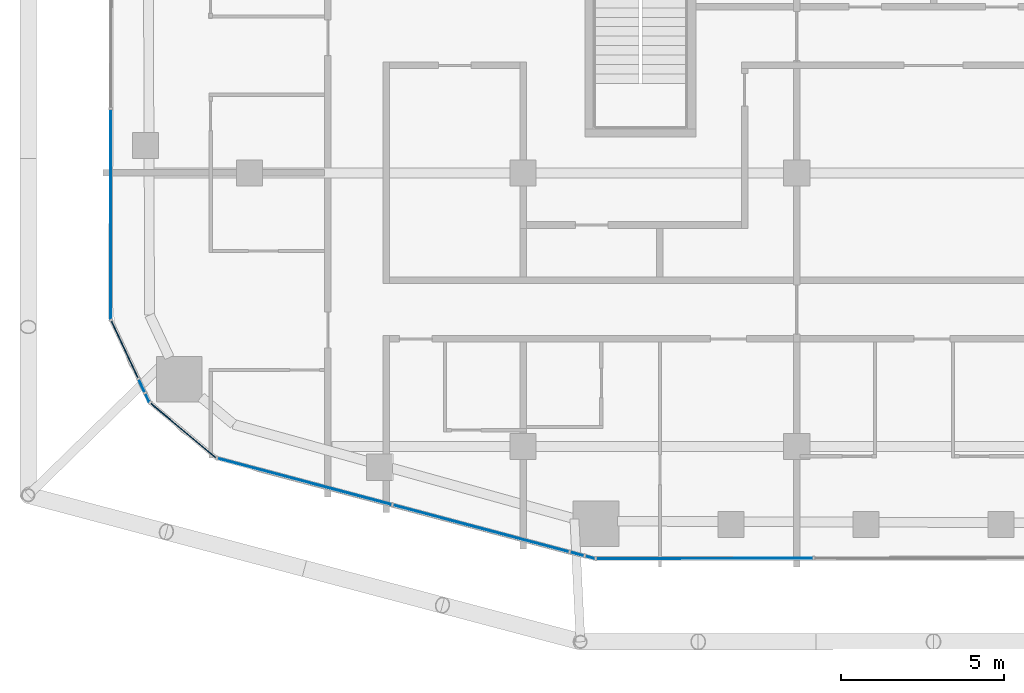
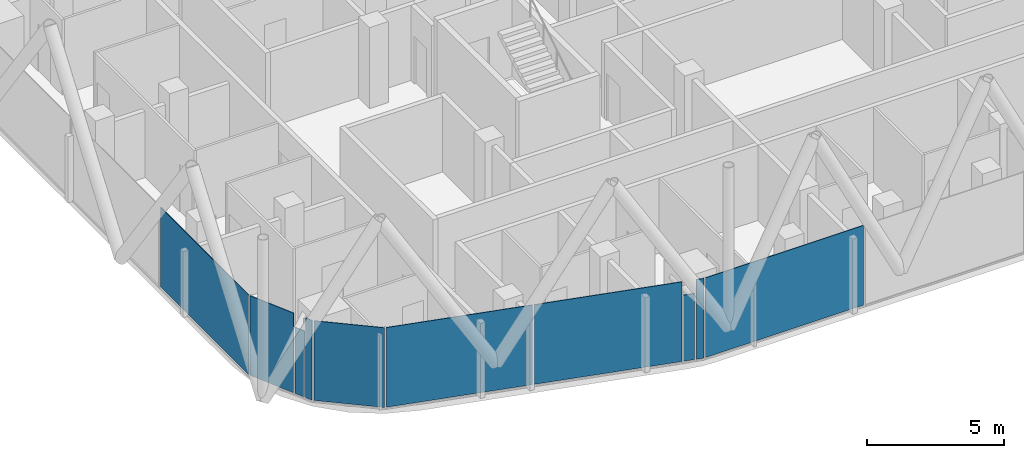
# One storey, part 14 of 28: 10 plates, 9 elements without a shape of their own.
"""IFC4 building model written with IfcOpenShell, lengths in metres."""

from ifc_helpers import new_model, si_unit, direction, frame, origin, origin_2d, place, context, subcontext, project, spatial, rectangle, extrude, material, layer, layer_set, type_object, element, aggregate, save


model = new_model("IFC4")

# Units and contexts
model_context = context("Model", 3, precision=1e-05, world=origin(), true_north=direction((0.0, 1.0)))
body_context = subcontext(model_context, "Body", "Model", "MODEL_VIEW")
ifc_project = project(units=[si_unit("LENGTHUNIT", "METRE"), si_unit("AREAUNIT", "SQUARE_METRE"), si_unit("VOLUMEUNIT", "CUBIC_METRE"), si_unit("PLANEANGLEUNIT", "RADIAN"), si_unit("MASSUNIT", "GRAM", prefix="KILO")], contexts=[model_context])

# Site, building, storey
site_placement = place(None, origin())
site = spatial("IfcSite", under=ifc_project, at=site_placement, CompositionType="ELEMENT")
building_placement = place(site_placement, origin())
building = spatial("IfcBuilding", under=site, at=building_placement, Name="Marenta Gate Hotel Tower", CompositionType="ELEMENT")
storey_placement = place(building_placement, frame((0.0, 0.0, 241.699951171875)))
storey = spatial("IfcBuildingStorey", under=building, at=storey_placement, Name="L57", CompositionType="ELEMENT", Elevation=241.699951171875)

# Curtain wall, plate
ifc_material_1 = material(Name="Tinted insulated glass in bronze anodised frame", Category="glass")
ifc_layer_1 = layer(ifc_material_1, 0.1201171875)
ifc_layer_set_1 = layer_set([ifc_layer_1], Name="Tinted insulated glass in bronze anodised frame")
curtain_wall_type = type_object("IfcCurtainWallType", Name="Tower unitised curtain wall CW1", PredefinedType="NOTDEFINED", material=ifc_layer_set_1)
curtain_wall_1_placement = place(storey_placement, origin())
curtain_wall_1 = element("IfcCurtainWall", 1, at=curtain_wall_1_placement, inside=storey, type_object=curtain_wall_type, Name="CW1 run G04", PredefinedType="NOTDEFINED")
ifc_material_2 = material(Name="Tinted insulated glass", Category="glass")
ifc_layer_2 = layer(ifc_material_2, 0.028076171875)
ifc_layer_set_2 = layer_set([ifc_layer_2], Name="Tinted insulated glass")
plate_type = type_object("IfcPlateType", Name="Glass panel CW1 28 mm tinted insulated unit", PredefinedType="CURTAIN_PANEL", material=ifc_layer_set_2)
plate_1_placement = place(storey_placement, frame((-25.26806640625, -18.078857421875, 0.06005859375), z_axis=(0.0, 0.0, 1.0), x_axis=(-0.001566045546, -0.99999877375, 0.0)))
plate_1 = element("IfcPlate", 2, at=plate_1_placement, type_object=plate_type, Name="CW1 panel 6.1", PredefinedType="CURTAIN_PANEL", context=body_context, shape_type="SweptSolid", body=[
    extrude(rectangle(XDim=6.429931640625, YDim=0.028076171875, at=origin_2d()), origin(), (0.0, 0.0, 1.0), 3.5400390625),
])
aggregate(curtain_wall_1, [plate_1])

curtain_wall_2_placement = place(storey_placement, origin())
curtain_wall_2 = element("IfcCurtainWall", 3, at=curtain_wall_2_placement, inside=storey, type_object=curtain_wall_type, Name="CW1 run G05", PredefinedType="NOTDEFINED")
plate_2_placement = place(storey_placement, frame((-24.839599609375, -22.221435546875, 0.06005859375), z_axis=(0.0, 0.0, 1.0), x_axis=(0.423331565466, -0.905974826185, 0.0)))
plate_2 = element("IfcPlate", 4, at=plate_2_placement, type_object=plate_type, Name="CW1 panel 1.1", PredefinedType="CURTAIN_PANEL", context=body_context, shape_type="SweptSolid", body=[
    extrude(rectangle(XDim=1.927734375, YDim=0.028076171875, at=origin_2d()), origin(), (0.0, 0.0, 1.0), 3.5400390625),
])
aggregate(curtain_wall_2, [plate_2])

curtain_wall_3_placement = place(storey_placement, origin())
curtain_wall_3 = element("IfcCurtainWall", 5, at=curtain_wall_3_placement, inside=storey, type_object=curtain_wall_type, Name="CW1 run G06", PredefinedType="NOTDEFINED")
plate_3_placement = place(storey_placement, frame((-24.317138671875, -23.33935546875, 0.06005859375), z_axis=(0.0, 0.0, 1.0), x_axis=(0.423387289241, -0.905948786251, 0.0)))
plate_3 = element("IfcPlate", 6, at=plate_3_placement, type_object=plate_type, Name="CW1 panel 1.1", PredefinedType="CURTAIN_PANEL", context=body_context, shape_type="SweptSolid", body=[
    extrude(rectangle(XDim=0.419921875, YDim=0.028076171875, at=origin_2d()), origin(), (0.0, 0.0, 1.0), 2.9404296875),
])
aggregate(curtain_wall_3, [plate_3])

curtain_wall_4_placement = place(storey_placement, origin())
curtain_wall_4 = element("IfcCurtainWall", 7, at=curtain_wall_4_placement, inside=storey, type_object=curtain_wall_type, Name="CW1 run G07", PredefinedType="NOTDEFINED")
plate_4_placement = place(storey_placement, frame((-24.142822265625, -23.71240234375, 0.06005859375), z_axis=(0.0, 0.0, 1.0), x_axis=(0.423299800084, -0.905989668401, 0.0)))
plate_4 = element("IfcPlate", 8, at=plate_4_placement, type_object=plate_type, Name="CW1 panel 1.1", PredefinedType="CURTAIN_PANEL", context=body_context, shape_type="SweptSolid", body=[
    extrude(rectangle(XDim=0.283447265625, YDim=0.028076171875, at=origin_2d()), origin(), (0.0, 0.0, 1.0), 3.5400390625),
])
aggregate(curtain_wall_4, [plate_4])

curtain_wall_5_placement = place(storey_placement, origin())
curtain_wall_5 = element("IfcCurtainWall", 9, at=curtain_wall_5_placement, inside=storey, type_object=curtain_wall_type, Name="CW1 run G08", PredefinedType="NOTDEFINED")
plate_5_placement = place(storey_placement, frame((-23.0361328125, -24.716064453125, 0.06005859375), z_axis=(0.0, 0.0, 1.0), x_axis=(0.767102345594, -0.641524739495, 0.0)))
plate_5 = element("IfcPlate", 10, at=plate_5_placement, type_object=plate_type, Name="CW1 panel 1.1", PredefinedType="CURTAIN_PANEL", context=body_context, shape_type="SweptSolid", body=[
    extrude(rectangle(XDim=2.609375, YDim=0.028076171875, at=origin_2d()), origin(), (0.0, 0.0, 1.0), 3.5400390625),
])
aggregate(curtain_wall_5, [plate_5])

# Curtain wall, plates
curtain_wall_6_placement = place(storey_placement, origin())
curtain_wall_6 = element("IfcCurtainWall", 11, at=curtain_wall_6_placement, inside=storey, type_object=curtain_wall_type, Name="CW1 run G09", PredefinedType="NOTDEFINED")
plate_6_placement = place(storey_placement, frame((-19.31298828125, -26.27734375, 0.06005859375), z_axis=(0.0, 0.0, 1.0), x_axis=(0.966376360931, -0.257131734785, 0.0)))
plate_6 = element("IfcPlate", 12, at=plate_6_placement, type_object=plate_type, Name="CW1 panel 1.1", PredefinedType="CURTAIN_PANEL", context=body_context, shape_type="SweptSolid", body=[
    extrude(rectangle(XDim=5.51416015625, YDim=0.028076171875, at=origin_2d()), origin(), (0.0, 0.0, 1.0), 3.5400390625),
])
plate_7_placement = place(storey_placement, frame((-13.897216796875, -27.718505859375, 0.06005859375), z_axis=(0.0, 0.0, 1.0), x_axis=(0.966376360931, -0.257131734785, 0.0)))
plate_7 = element("IfcPlate", 13, at=plate_7_placement, type_object=plate_type, Name="CW1 panel 2.1", PredefinedType="CURTAIN_PANEL", context=body_context, shape_type="SweptSolid", body=[
    extrude(rectangle(XDim=5.57421875, YDim=0.028076171875, at=origin_2d()), origin(), (0.0, 0.0, 1.0), 3.5400390625),
])
aggregate(curtain_wall_6, [plate_6, plate_7])

# Curtain wall, plate
curtain_wall_7_placement = place(storey_placement, origin())
curtain_wall_7 = element("IfcCurtainWall", 14, at=curtain_wall_7_placement, inside=storey, type_object=curtain_wall_type, Name="CW1 run G10", PredefinedType="NOTDEFINED")
plate_8_placement = place(storey_placement, frame((-10.945068359375, -28.50390625, 0.06005859375), z_axis=(0.0, 0.0, 1.0), x_axis=(0.966384808868, -0.257099982864, 0.0)))
plate_8 = element("IfcPlate", 15, at=plate_8_placement, type_object=plate_type, Name="CW1 panel 1.1", PredefinedType="CURTAIN_PANEL", context=body_context, shape_type="SweptSolid", body=[
    extrude(rectangle(XDim=0.415771484375, YDim=0.028076171875, at=origin_2d()), origin(), (0.0, 0.0, 1.0), 2.9404296875),
])
aggregate(curtain_wall_7, [plate_8])

curtain_wall_8_placement = place(storey_placement, origin())
curtain_wall_8 = element("IfcCurtainWall", 16, at=curtain_wall_8_placement, inside=storey, type_object=curtain_wall_type, Name="CW1 run G11", PredefinedType="NOTDEFINED")
plate_9_placement = place(storey_placement, frame((-10.546142578125, -28.610107421875, 0.06005859375), z_axis=(0.0, 0.0, 1.0), x_axis=(0.966296560535, -0.257431460974, 0.0)))
plate_9 = element("IfcPlate", 17, at=plate_9_placement, type_object=plate_type, Name="CW1 panel 1.1", PredefinedType="CURTAIN_PANEL", context=body_context, shape_type="SweptSolid", body=[
    extrude(rectangle(XDim=0.2900390625, YDim=0.028076171875, at=origin_2d()), origin(), (0.0, 0.0, 1.0), 3.5400390625),
])
aggregate(curtain_wall_8, [plate_9])

curtain_wall_9_placement = place(storey_placement, origin())
curtain_wall_9 = element("IfcCurtainWall", 18, at=curtain_wall_9_placement, inside=storey, type_object=curtain_wall_type, Name="CW1 run G12", PredefinedType="NOTDEFINED")
plate_10_placement = place(storey_placement, frame((-7.024169921875, -28.641845703125, 0.06005859375), z_axis=(0.0, 0.0, 1.0), x_axis=(0.999998649471, 0.001643488917, 0.0)))
plate_10 = element("IfcPlate", 19, at=plate_10_placement, type_object=plate_type, Name="CW1 panel 1.1", PredefinedType="CURTAIN_PANEL", context=body_context, shape_type="SweptSolid", body=[
    extrude(rectangle(XDim=6.6435546875, YDim=0.028076171875, at=origin_2d()), origin(), (0.0, 0.0, 1.0), 3.5400390625),
])
aggregate(curtain_wall_9, [plate_10])

save(model, "model.ifc")
